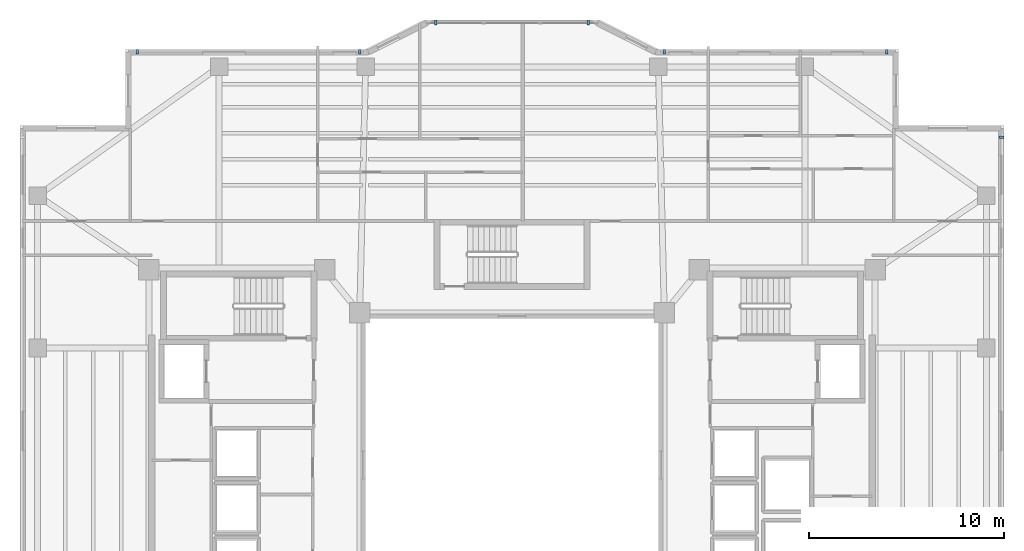
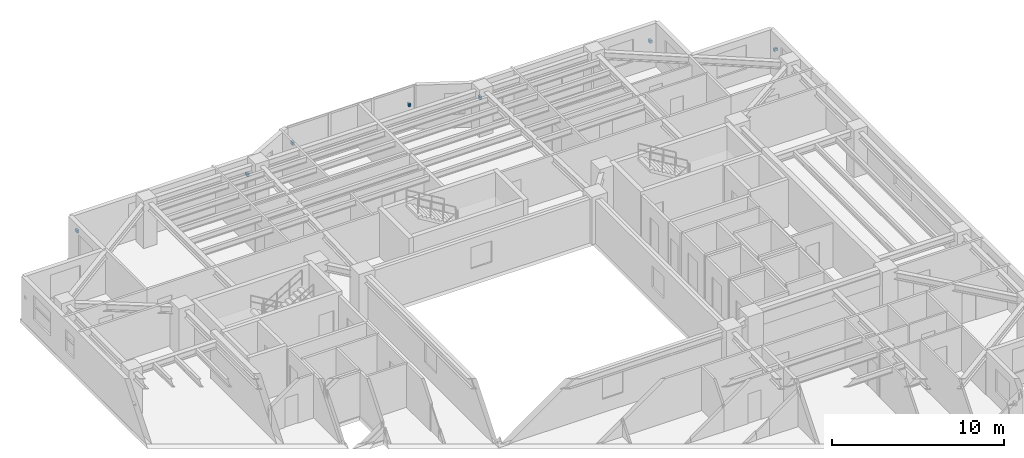
# One storey, part 12 of 15: 7 discrete accessories.
"""IFC4 building model written with IfcOpenShell, lengths in metres."""

from ifc_helpers import new_model, si_unit, direction, frame, origin, origin_2d, place, context, subcontext, project, spatial, rectangle, extrude, material, type_object, element, save


model = new_model("IFC4")

# Units and contexts
model_context = context("Model", 3, precision=1e-05, world=origin(), true_north=direction((0.0, 1.0)))
body_context = subcontext(model_context, "Body", "Model", "MODEL_VIEW")
ifc_project = project(units=[si_unit("LENGTHUNIT", "METRE"), si_unit("AREAUNIT", "SQUARE_METRE"), si_unit("VOLUMEUNIT", "CUBIC_METRE"), si_unit("PLANEANGLEUNIT", "RADIAN"), si_unit("MASSUNIT", "GRAM", prefix="KILO")], contexts=[model_context])

# Site, building, storey
site_placement = place(None, origin())
site = spatial("IfcSite", under=ifc_project, at=site_placement, CompositionType="ELEMENT")
building_placement = place(site_placement, origin())
building = spatial("IfcBuilding", under=site, at=building_placement, Name="Tarnavaz Court Tower", CompositionType="ELEMENT")
storey_placement = place(building_placement, frame((0.0, 0.0, 159.39990234375)))
storey = spatial("IfcBuildingStorey", under=building, at=storey_placement, Name="L43", CompositionType="ELEMENT", Elevation=159.39990234375)

# Discrete accessories
ifc_material = material(Name="Anodised Aluminium 6063-T6", Category="aluminium")
discrete_accessory_type = type_object("IfcDiscreteAccessoryType", Name="DA-BRKT-ALU", PredefinedType="BRACKET", material=ifc_material)
for number, where, z_axis, x_axis, name in (
    (1, (-19.199951171875, 21.169921875, 1.75), (0.0, 0.0, 1.0), (1.0, 0.0, 0.0), "L43 Baguette Outrigger Bracket FBG05-1"),
    (2, (-7.800048828125, 21.169921875, 1.75), (0.0, 0.0, 1.0), (1.0, 0.0, 0.0), "L43 Baguette Outrigger Bracket FBG05-2"),
    (3, (-3.89990234375, 22.669921875, 1.7001953125), (0.0, 0.0, 1.0), (1.0, 0.0, 0.0), "L43 Baguette Outrigger Bracket PBG7-1"),
    (4, (3.89990234375, 22.669921875, 1.7001953125), (0.0, 0.0, 1.0), (1.0, 0.0, 0.0), "L43 Baguette Outrigger Bracket PBG7-2"),
    (5, (7.800048828125, 21.169921875, 1.75), (0.0, 0.0, 1.0), (1.0, 0.0, 0.0), "L43 Baguette Outrigger Bracket FBG09-1"),
    (6, (19.199951171875, 21.169921875, 1.75), (0.0, 0.0, 1.0), (1.0, 0.0, 0.0), "L43 Baguette Outrigger Bracket FBG09-2"),
    (7, (25.070068359375, 16.800048828125, 1.75), (0.0, 0.0, 1.0), (0.0, -1.0, 0.0), "L43 Baguette Outrigger Bracket FBG12-1"),
):
    element("IfcDiscreteAccessory", number, at=place(storey_placement, frame(where, z_axis=z_axis, x_axis=x_axis)), inside=storey, type_object=discrete_accessory_type, Name=name, PredefinedType="BRACKET", context=body_context, shape_type="SweptSolid", body=[
        extrude(rectangle(XDim=0.139892578125, YDim=0.239990234375, at=origin_2d()), origin(), (0.0, 0.0, 1.0), 0.199951171875),
    ])

save(model, "model.ifc")
